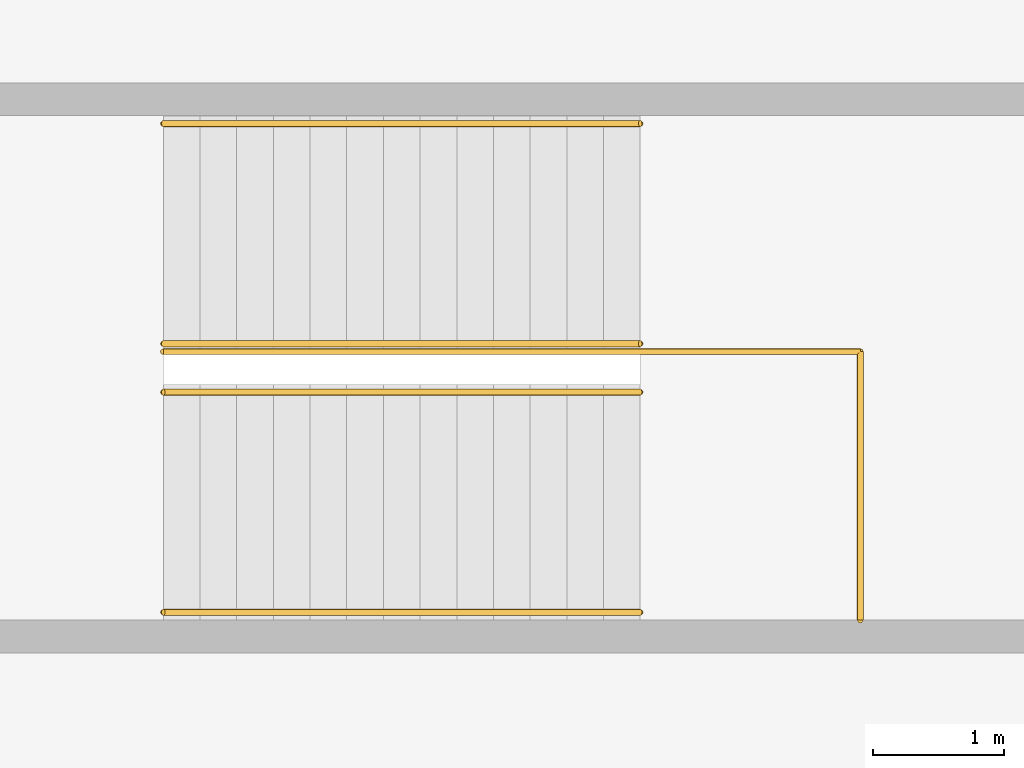
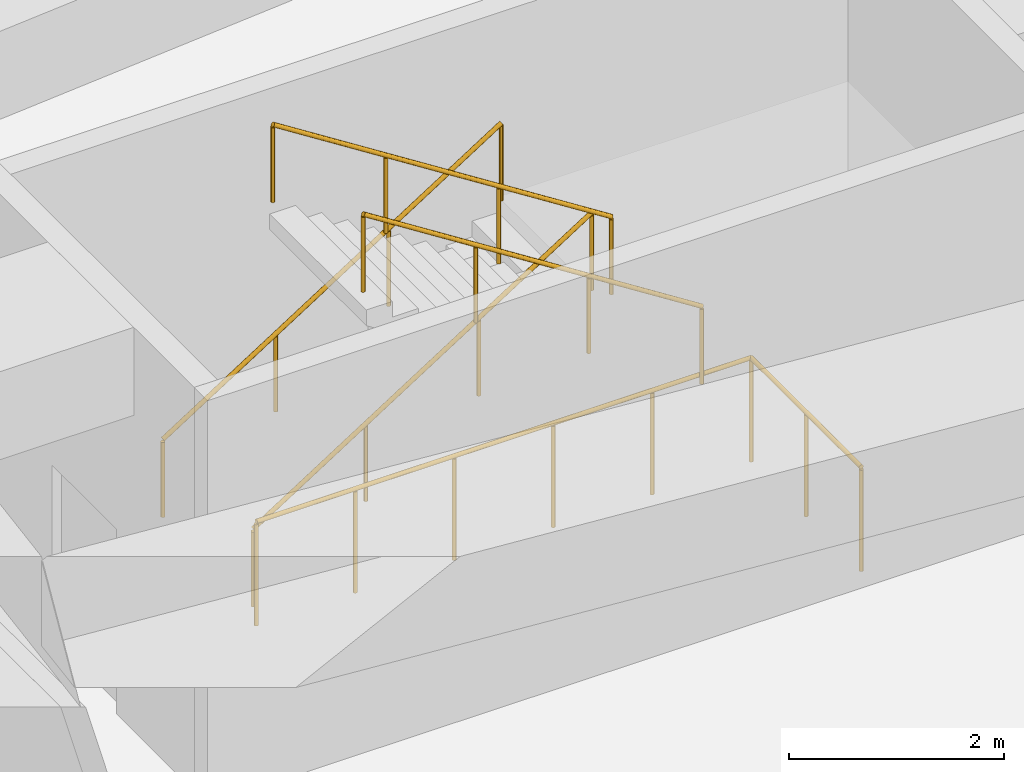
# One storey, part 32 of 32: 5 railings.
"""IFC4 building model written with IfcOpenShell, lengths in metres."""

import ifcopenshell
import ifcopenshell.guid

model = None  # the IFC model being written
_history = None  # IfcOwnerHistory: only IFC2X3 demands one
_inside = {}  # id of a spatial element -> (the spatial element, [elements in it])
_under = {}  # id of a project, library or spatial element -> (it, [spatial elements below it])
_declared = {}  # id of a project -> (the project, [libraries it declares])
_typed = {}  # id of a type object -> (the type object, [elements of that type])
_made_of = {}  # id of a material, layer set ... -> (it, [elements and type objects made of it])


def new_model(schema):
    """Start an empty IFC model of exactly this schema.

    Asked for "IFC4X3", IfcOpenShell would pick the latest addendum, in which some entities
    have other attributes; the version numbers below select the first issue.
    IFC2X3 requires an IfcOwnerHistory on every rooted entity: one is made here for all.
    """
    global model, _history
    if schema == "IFC4X3":
        model = ifcopenshell.file(schema_version=(4, 3, 0, 0))
    else:
        model = ifcopenshell.file(schema=schema)
    _inside.clear()
    _under.clear()
    _declared.clear()
    _typed.clear()
    _made_of.clear()
    _history = None
    if model.schema == "IFC2X3":
        org = make("IfcOrganization", Name="unknown")
        user = make(
            "IfcPersonAndOrganization",
            ThePerson=make("IfcPerson", FamilyName="unknown"),
            TheOrganization=org,
        )
        app = make(
            "IfcApplication",
            ApplicationDeveloper=org,
            Version="unknown",
            ApplicationFullName="unknown",
            ApplicationIdentifier="unknown",
        )
        _history = make(
            "IfcOwnerHistory",
            OwningUser=user,
            OwningApplication=app,
            ChangeAction="ADDED",
            CreationDate=0,
        )
    return model


def make(cls, **values):
    """One entity of the class cls with the attributes given. An attribute that is None is left unset."""
    return model.create_entity(
        cls, **{name: value for name, value in values.items() if value is not None}
    )


def rooted(cls, **values):
    """An entity with a GlobalId (a new one), such as an element, a storey or a relation."""
    return make(cls, GlobalId=ifcopenshell.guid.new(), OwnerHistory=_history, **values)


def si_unit(unit_type, name, prefix=None):
    """IfcSIUnit, for example si_unit("LENGTHUNIT", "METRE", prefix="MILLI")."""
    return make("IfcSIUnit", UnitType=unit_type, Prefix=prefix, Name=name)


def assignment(units):
    """IfcUnitAssignment: the units of a project."""
    return None if units is None else make("IfcUnitAssignment", Units=units)


def point(xyz):
    """IfcCartesianPoint."""
    return None if xyz is None else make("IfcCartesianPoint", Coordinates=xyz)


def direction(xyz):
    """IfcDirection."""
    return None if xyz is None else make("IfcDirection", DirectionRatios=xyz)


def frame(location, z_axis=None, x_axis=None):
    """IfcAxis2Placement3D, a coordinate frame: its origin and axes. An axis left out is left unset."""
    return make(
        "IfcAxis2Placement3D",
        Location=point(location),
        Axis=direction(z_axis),
        RefDirection=direction(x_axis),
    )


def frame_2d(location, x_axis=None):
    """IfcAxis2Placement2D, a coordinate frame in the plane: its origin and x axis."""
    return make(
        "IfcAxis2Placement2D", Location=point(location), RefDirection=direction(x_axis)
    )


def origin():
    """The frame at (0, 0, 0) with its axes left unset."""
    return frame((0.0, 0.0, 0.0))


def origin_2d():
    """The frame at (0, 0) in the plane with its x axis left unset."""
    return frame_2d((0.0, 0.0))


def place(relative_to, where):
    """IfcLocalPlacement: puts the frame where relative to a parent placement (None: the world)."""
    return make(
        "IfcLocalPlacement", PlacementRelTo=relative_to, RelativePlacement=where
    )


def context(
    kind, dimensions, precision=None, world=None, true_north=None, identifier=None
):
    """IfcGeometricRepresentationContext, for example the 3D "Model" context."""
    return make(
        "IfcGeometricRepresentationContext",
        ContextIdentifier=identifier,
        ContextType=kind,
        CoordinateSpaceDimension=dimensions,
        Precision=precision,
        WorldCoordinateSystem=world,
        TrueNorth=true_north,
    )


def subcontext(parent, identifier, kind, view, scale=None):
    """IfcGeometricRepresentationSubContext, for example "Body" below "Model"."""
    return make(
        "IfcGeometricRepresentationSubContext",
        ContextIdentifier=identifier,
        ContextType=kind,
        ParentContext=parent,
        TargetScale=scale,
        TargetView=view,
    )


def project(units=None, contexts=None):
    """IfcProject with its units and contexts."""
    return rooted(
        "IfcProject",
        Name="project",
        RepresentationContexts=contexts,
        UnitsInContext=assignment(units),
    )


def spatial(cls, under=None, at=None, **own):
    """A site, building, storey or space (cls), placed at a placement, below another one or the project."""
    s = rooted(cls, ObjectPlacement=at, **own)
    if under is not None:
        _under.setdefault(under.id(), (under, []))[1].append(s)
    return s


def profile(cls, at=None, kind="AREA", **sizes):
    """A parametric profile (cls). Its sizes go by their IFC names, for example OverallWidth=200.0."""
    return make(cls, ProfileType=kind, Position=at, **sizes)


def circle(**sizes):
    """IfcCircleProfileDef."""
    return profile("IfcCircleProfileDef", **sizes)


def extrude(swept, where, along, depth):
    """IfcExtrudedAreaSolid: the profile swept, set in the frame where, extruded along a direction by depth."""
    return make(
        "IfcExtrudedAreaSolid",
        SweptArea=swept,
        Position=where,
        ExtrudedDirection=direction(along),
        Depth=depth,
    )


def shape(context_of_items, identifier, shape_type, items):
    """IfcShapeRepresentation: the items that make up one representation, for example the "Body"."""
    return make(
        "IfcShapeRepresentation",
        ContextOfItems=context_of_items,
        RepresentationIdentifier=identifier,
        RepresentationType=shape_type,
        Items=items,
    )


def material(Name=None, Category=None):
    """IfcMaterial."""
    return make("IfcMaterial", Name=Name, Category=Category)


def made_of(thing, what):
    """Note that an element or type object is made of a material, layer set ...; save() writes the relation."""
    if what is not None:
        _made_of.setdefault(what.id(), (what, []))[1].append(thing)
    return thing


def type_object(cls, material=None, **own):
    """A type object (cls), such as IfcWallType, which elements share."""
    return made_of(rooted(cls, **own), material)


def element(
    cls,
    number,
    at=None,
    inside=None,
    cuts=None,
    type_object=None,
    material=None,
    context=None,
    identifier="Body",
    shape_type=None,
    held_by="IfcProductDefinitionShape",
    body=None,
    shapes=None,
    **own,
):
    """One element of the class cls, such as IfcWall. Its Tag is "e" and its number.

    at: its placement. inside: the storey or other place that contains it. cuts: it is an
    opening in that element (IfcRelVoidsElement). A single representation is given by context,
    identifier, shape_type and body (its items); several are given by shapes. held_by: the class
    of the entity that holds the representations. save() writes the other relations.
    """
    e = rooted(cls, Tag="e%d" % number, ObjectPlacement=at, **own)
    if body is not None:
        shapes = [shape(context, identifier, shape_type, body)]
    if shapes is not None:
        e.Representation = make(held_by, Representations=shapes)
    if inside is not None:
        _inside.setdefault(inside.id(), (inside, []))[1].append(e)
    if cuts is not None:
        rooted(
            "IfcRelVoidsElement", RelatingBuildingElement=cuts, RelatedOpeningElement=e
        )
    if type_object is not None:
        _typed.setdefault(type_object.id(), (type_object, []))[1].append(e)
    return made_of(e, material)


def aggregate(whole, parts):
    """IfcRelAggregates: a whole, such as a stair, and the parts it consists of."""
    return rooted("IfcRelAggregates", RelatingObject=whole, RelatedObjects=parts)


def save(model, path):
    """Write the relations noted so far, then the file.

    IfcRelAggregates (storeys below a building ...), IfcRelContainedInSpatialStructure (elements
    in a storey), IfcRelDefinesByType, IfcRelAssociatesMaterial and IfcRelDeclares: one each for
    every whole, place, type object, material and project.
    """
    for whole, parts in _under.values():
        aggregate(whole, parts)
    for where, things in _inside.values():
        rooted(
            "IfcRelContainedInSpatialStructure",
            RelatedElements=things,
            RelatingStructure=where,
        )
    for kind, things in _typed.values():
        rooted("IfcRelDefinesByType", RelatedObjects=things, RelatingType=kind)
    for what, things in _made_of.values():
        rooted("IfcRelAssociatesMaterial", RelatedObjects=things, RelatingMaterial=what)
    for by, libraries in _declared.values():
        rooted("IfcRelDeclares", RelatingContext=by, RelatedDefinitions=libraries)
    model.write(path)


model = new_model("IFC4")

# Units and contexts
model_context = context("Model", 3, precision=1e-05, world=origin(), true_north=direction((0.0, 1.0)))
body_context = subcontext(model_context, "Body", "Model", "MODEL_VIEW")
ifc_project = project(units=[si_unit("LENGTHUNIT", "METRE"), si_unit("AREAUNIT", "SQUARE_METRE"), si_unit("VOLUMEUNIT", "CUBIC_METRE"), si_unit("PLANEANGLEUNIT", "RADIAN"), si_unit("MASSUNIT", "GRAM", prefix="KILO")], contexts=[model_context])

# Site, building, storey
site_placement = place(None, origin())
site = spatial("IfcSite", under=ifc_project, at=site_placement, CompositionType="ELEMENT")
building_placement = place(site_placement, origin())
building = spatial("IfcBuilding", under=site, at=building_placement, Name="Taillehof Tower", CompositionType="ELEMENT")
storey_placement = place(building_placement, frame((0.0, 0.0, 7.5)))
storey = spatial("IfcBuildingStorey", under=building, at=storey_placement, Name="L01", CompositionType="ELEMENT", Elevation=7.5)

# Railings
ifc_material_1 = material(Name="Stainless steel and laminated glass", Category="steel")
railing_type_1 = type_object("IfcRailingType", Name="Guard 1200 mm", PredefinedType="GUARDRAIL", material=ifc_material_1)
railing_placement = place(storey_placement, frame((32.60009765625, 0.125, 0.0)))
element("IfcRailing", 1, at=railing_placement, inside=storey, type_object=railing_type_1, Name="Guard P5", PredefinedType="GUARDRAIL", context=body_context, shape_type="SweptSolid", body=[
    extrude(circle(Radius=0.02392578125, at=origin_2d()), frame((0.0, 0.0, 1.17578125), z_axis=(1.0, 0.0, 0.0), x_axis=(0.0, 1.0, 0.0)), (0.0, 0.0, 1.0), 5.31982421875),
    extrude(circle(Radius=0.02392578125, at=origin_2d()), frame((5.31982421875, 0.0, 1.17578125), z_axis=(0.0, -1.0, 0.0), x_axis=(1.0, 0.0, 0.0)), (0.0, 0.0, 1.0), 2.050048828125),
    extrude(circle(Radius=0.02099609375, at=origin_2d()), origin(), (0.0, 0.0, 1.0), 1.15185546875),
    extrude(circle(Radius=0.02099609375, at=origin_2d()), frame((1.06396484375, 0.0, 0.0)), (0.0, 0.0, 1.0), 1.15185546875),
    extrude(circle(Radius=0.02099609375, at=origin_2d()), frame((2.1279296875, 0.0, 0.0)), (0.0, 0.0, 1.0), 1.15185546875),
    extrude(circle(Radius=0.02099609375, at=origin_2d()), frame((3.19189453125, 0.0, 0.0)), (0.0, 0.0, 1.0), 1.15185546875),
    extrude(circle(Radius=0.02099609375, at=origin_2d()), frame((4.255859375, 0.0, 0.0)), (0.0, 0.0, 1.0), 1.15185546875),
    extrude(circle(Radius=0.02099609375, at=origin_2d()), frame((5.31982421875, 0.0, 0.0)), (0.0, 0.0, 1.0), 1.15185546875),
    extrude(circle(Radius=0.02099609375, at=origin_2d()), frame((5.31982421875, -1.02490234375, 0.0)), (0.0, 0.0, 1.0), 1.15185546875),
    extrude(circle(Radius=0.02099609375, at=origin_2d()), frame((5.31982421875, -2.050048828125, 0.0)), (0.0, 0.0, 1.0), 1.15185546875),
])
ifc_material_2 = material(Name="Stainless steel tube", Category="steel")
railing_type_2 = type_object("IfcRailingType", Name="Handrail 900 mm", PredefinedType="HANDRAIL", material=ifc_material_2)
for number, where, name in (
    (2, (32.60009765625, 1.864990234375, 0.1787109375), "Handrail P5"),
    (3, (32.60009765625, 0.18505859375, 0.1787109375), "Handrail P5"),
):
    element("IfcRailing", number, at=place(storey_placement, frame(where)), inside=storey, type_object=railing_type_2, Name=name, PredefinedType="HANDRAIL", context=body_context, shape_type="SweptSolid", body=[
        extrude(circle(Radius=0.02392578125, at=origin_2d()), frame((0.0, 0.0, 0.8759765625), z_axis=(0.843137146238, 0.0, 0.537698570422), x_axis=(0.0, 1.0, 0.0)), (0.0, 0.0, 1.0), 4.317138671875),
        extrude(circle(Radius=0.02099609375, at=origin_2d()), origin(), (0.0, 0.0, 1.0), 0.851806640625),
        extrude(circle(Radius=0.02099609375, at=origin_2d()), frame((1.21337890625, 0.0, 0.773681640625)), (0.0, 0.0, 1.0), 0.851806640625),
        extrude(circle(Radius=0.02099609375, at=origin_2d()), frame((2.426513671875, 0.0, 1.547607421875)), (0.0, 0.0, 1.0), 0.851806640625),
        extrude(circle(Radius=0.02099609375, at=origin_2d()), frame((3.639892578125, 0.0, 2.3212890625)), (0.0, 0.0, 1.0), 0.851806640625),
    ])
for number, where, name in (
    (4, (36.239990234375, -0.18505859375, 2.6787109375), "Handrail P5"),
    (5, (36.239990234375, -1.864990234375, 2.6787109375), "Handrail P5"),
):
    element("IfcRailing", number, at=place(storey_placement, frame(where)), inside=storey, type_object=railing_type_2, Name=name, PredefinedType="HANDRAIL", context=body_context, shape_type="SweptSolid", body=[
        extrude(circle(Radius=0.02392578125, at=origin_2d()), frame((0.0, 0.0, 0.8759765625), z_axis=(-0.843137146238, 0.0, 0.537698570422), x_axis=(0.0, -1.0, 0.0)), (0.0, 0.0, 1.0), 4.317138671875),
        extrude(circle(Radius=0.02099609375, at=origin_2d()), origin(), (0.0, 0.0, 1.0), 0.851806640625),
        extrude(circle(Radius=0.02099609375, at=origin_2d()), frame((-1.21337890625, 0.0, 0.773681640625)), (0.0, 0.0, 1.0), 0.851806640625),
        extrude(circle(Radius=0.02099609375, at=origin_2d()), frame((-2.426513671875, 0.0, 1.547607421875)), (0.0, 0.0, 1.0), 0.851806640625),
        extrude(circle(Radius=0.02099609375, at=origin_2d()), frame((-3.639892578125, 0.0, 2.3212890625)), (0.0, 0.0, 1.0), 0.851806640625),
    ])

save(model, "model.ifc")
